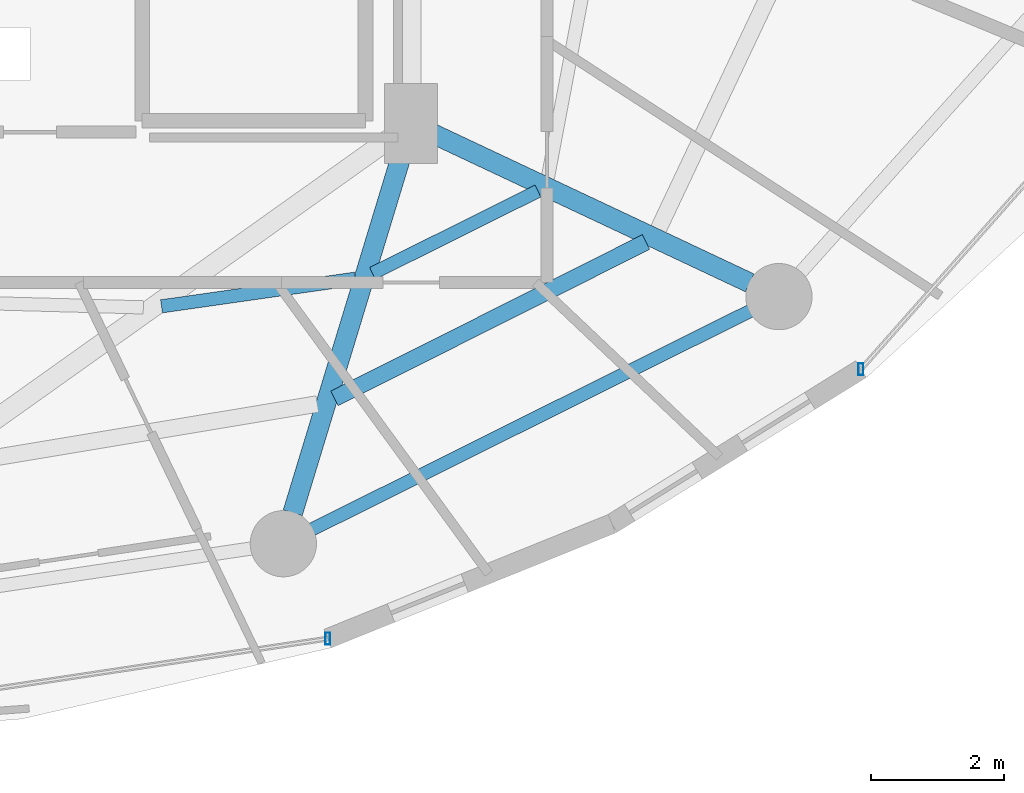
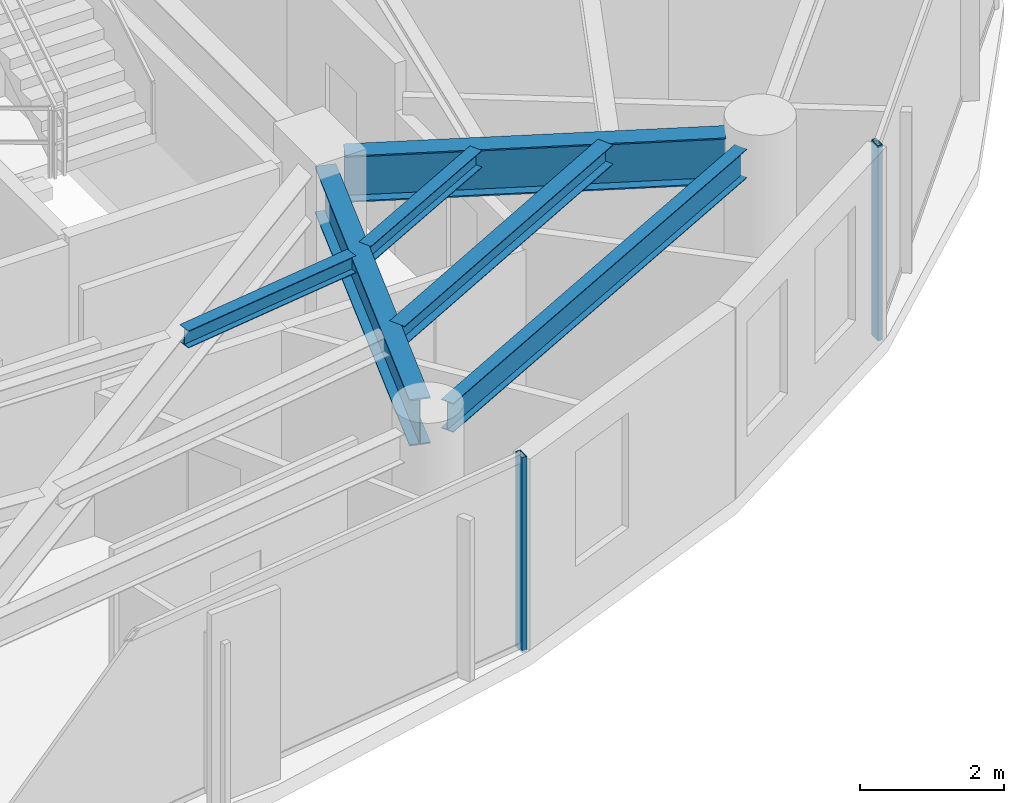
# One storey, part 10 of 28: 6 beams, 2 members, 2 elements without a shape of their own.
"""IFC4 building model written with IfcOpenShell, lengths in metres."""

from ifc_helpers import new_model, si_unit, direction, frame, origin, origin_2d, place, context, subcontext, project, spatial, hollow_rectangle, i_section, extrude, material, material_profile, profile_set, type_object, element, aggregate, save


model = new_model("IFC4")

# Units and contexts
model_context = context("Model", 3, precision=1e-05, world=origin(), true_north=direction((0.0, 1.0)))
body_context = subcontext(model_context, "Body", "Model", "MODEL_VIEW")
ifc_project = project(units=[si_unit("LENGTHUNIT", "METRE"), si_unit("AREAUNIT", "SQUARE_METRE"), si_unit("VOLUMEUNIT", "CUBIC_METRE"), si_unit("PLANEANGLEUNIT", "RADIAN"), si_unit("MASSUNIT", "GRAM", prefix="KILO")], contexts=[model_context])

# Site, building, storey
site_placement = place(None, origin())
site = spatial("IfcSite", under=ifc_project, at=site_placement, CompositionType="ELEMENT")
building_placement = place(site_placement, origin())
building = spatial("IfcBuilding", under=site, at=building_placement, Name="Vorneva Point Tower", CompositionType="ELEMENT")
storey_placement = place(building_placement, frame((0.0, 0.0, 164.10009765625)))
storey = spatial("IfcBuildingStorey", under=building, at=storey_placement, Name="L44", CompositionType="ELEMENT", Elevation=164.10009765625)

# Beams
ifc_material_1 = material(Name="Steel S355", Category="steel")
ifc_material_profile_1 = material_profile(ifc_material_1, i_section(OverallWidth=0.300048828125, OverallDepth=0.7880859375, WebThickness=0.014404296875, FlangeThickness=0.02197265625, at=origin_2d()), Name="80Sh1")
ifc_profile_set_1 = profile_set([ifc_material_profile_1], Name="Steel S355")
beam_type_1 = type_object("IfcBeamType", Name="BM-GRD-80Sh1", PredefinedType="USERDEFINED", material=ifc_profile_set_1)
beam_1_placement = place(storey_placement, frame((46.962890625, 10.576171875, 2.845947265625), z_axis=(0.291049382966, 0.95670803105, 0.0), x_axis=(-0.95670803105, 0.291049382966, 0.0)))
element("IfcBeam", 1, at=beam_1_placement, inside=storey, type_object=beam_type_1, Name="L44 Radial Primary Girder 14", ObjectType="GIRDER", PredefinedType="USERDEFINED", context=body_context, shape_type="SweptSolid", body=[
    extrude(i_section(OverallWidth=0.300048828125, OverallDepth=0.7880859375, WebThickness=0.014404296875, FlangeThickness=0.02197265625, at=origin_2d()), origin(), (0.0, 0.0, 1.0), 5.799560546875),
])
beam_2_placement = place(storey_placement, frame((53.857421875, 14.045654296875, 2.845947265625), z_axis=(-0.904761331435, 0.425918927896, 0.0), x_axis=(-0.425918927896, -0.904761331435, 0.0)))
element("IfcBeam", 2, at=beam_2_placement, inside=storey, type_object=beam_type_1, Name="L44 Radial Primary Girder 15", ObjectType="GIRDER", PredefinedType="USERDEFINED", context=body_context, shape_type="SweptSolid", body=[
    extrude(i_section(OverallWidth=0.300048828125, OverallDepth=0.7880859375, WebThickness=0.014404296875, FlangeThickness=0.02197265625, at=origin_2d()), origin(), (0.0, 0.0, 1.0), 5.304931640625),
])
ifc_material_profile_2 = material_profile(ifc_material_1, i_section(OverallWidth=0.199951171875, OverallDepth=0.291015625, WebThickness=0.008056640625, FlangeThickness=0.010986328125, at=origin_2d()), Name="30Sh1")
ifc_profile_set_2 = profile_set([ifc_material_profile_2], Name="Steel S355")
beam_type_2 = type_object("IfcBeamType", Name="BM-SEC-30Sh1", PredefinedType="BEAM", material=ifc_profile_set_2)
beam_3_placement = place(storey_placement, frame((44.982421875, 13.691162109375, 3.094482421875), z_axis=(0.989997374547, 0.1410857838, 0.0), x_axis=(-0.1410857838, 0.989997374547, 0.0)))
element("IfcBeam", 3, at=beam_3_placement, inside=storey, type_object=beam_type_2, Name="L44 Secondary Floor Beam 2.13", PredefinedType="BEAM", context=body_context, shape_type="SweptSolid", body=[
    extrude(i_section(OverallWidth=0.199951171875, OverallDepth=0.291015625, WebThickness=0.008056640625, FlangeThickness=0.010986328125, at=origin_2d()), origin(), (0.0, 0.0, 1.0), 2.953857421875),
])
beam_4_placement = place(storey_placement, frame((48.166748046875, 14.188720703125, 3.094482421875), z_axis=(0.895266564534, 0.445530895031, 0.0), x_axis=(-0.445530895031, 0.895266564534, 0.0)))
element("IfcBeam", 4, at=beam_4_placement, inside=storey, type_object=beam_type_2, Name="L44 Secondary Floor Beam 2.14", PredefinedType="BEAM", context=body_context, shape_type="SweptSolid", body=[
    extrude(i_section(OverallWidth=0.199951171875, OverallDepth=0.291015625, WebThickness=0.008056640625, FlangeThickness=0.010986328125, at=origin_2d()), origin(), (0.0, 0.0, 1.0), 2.787109375),
])
ifc_material_profile_3 = material_profile(ifc_material_1, i_section(OverallWidth=0.2490234375, OverallDepth=0.333984375, WebThickness=0.008056640625, FlangeThickness=0.010986328125, at=origin_2d()), Name="35Sh1")
ifc_profile_set_3 = profile_set([ifc_material_profile_3], Name="Steel S355")
beam_type_3 = type_object("IfcBeamType", Name="BM-SEC-35Sh1", PredefinedType="BEAM", material=ifc_profile_set_3)
beam_5_placement = place(storey_placement, frame((47.5927734375, 12.302490234375, 3.072998046875), z_axis=(0.893776430112, 0.44851275676, 0.0), x_axis=(-0.44851275676, 0.893776430112, 0.0)))
element("IfcBeam", 5, at=beam_5_placement, inside=storey, type_object=beam_type_3, Name="L44 Secondary Floor Beam 1.14", PredefinedType="BEAM", context=body_context, shape_type="SweptSolid", body=[
    extrude(i_section(OverallWidth=0.2490234375, OverallDepth=0.333984375, WebThickness=0.008056640625, FlangeThickness=0.010986328125, at=origin_2d()), origin(), (0.0, 0.0, 1.0), 5.260009765625),
])
ifc_material_profile_4 = material_profile(ifc_material_1, i_section(OverallWidth=0.199951171875, OverallDepth=0.491943359375, WebThickness=0.0087890625, FlangeThickness=0.011962890625, at=origin_2d()), Name="50B1")
ifc_profile_set_4 = profile_set([ifc_material_profile_4], Name="Steel S355")
beam_type_4 = type_object("IfcBeamType", Name="BM-SPN-50B1", PredefinedType="SPANDREL", material=ifc_profile_set_4)
beam_6_placement = place(storey_placement, frame((47.2548828125, 10.32568359375, 2.993896484375), z_axis=(0.894929061397, 0.446208443518, 0.0), x_axis=(-0.446208443518, 0.894929061397, 0.0)))
element("IfcBeam", 6, at=beam_6_placement, inside=storey, type_object=beam_type_4, Name="L44 Perimeter Spandrel Ring Beam 14", PredefinedType="SPANDREL", context=body_context, shape_type="SweptSolid", body=[
    extrude(i_section(OverallWidth=0.199951171875, OverallDepth=0.491943359375, WebThickness=0.0087890625, FlangeThickness=0.011962890625, at=origin_2d()), origin(), (0.0, 0.0, 1.0), 7.385986328125),
])

# Curtain wall, member
ifc_material_2 = material(Name="Pale anodised aluminium", Category="aluminium")
curtain_wall_type = type_object("IfcCurtainWallType", Name="CW-RES-SYS", PredefinedType="NOTDEFINED", material=ifc_material_2)
curtain_wall_1_placement = place(storey_placement, origin())
curtain_wall_1 = element("IfcCurtainWall", 7, at=curtain_wall_1_placement, inside=storey, type_object=curtain_wall_type, Name="L44 Unitised Curtain Wall CW-L44-R01", PredefinedType="NOTDEFINED")
ifc_material_profile_5 = material_profile(ifc_material_2, hollow_rectangle(XDim=0.074951171875, YDim=0.179931640625, WallThickness=0.00390625, at=origin_2d()), Name="AL-MUL 180x75x4")
ifc_profile_set_5 = profile_set([ifc_material_profile_5], Name="Pale anodised aluminium")
member_type = type_object("IfcMemberType", Name="CW-MUL-180", PredefinedType="MULLION", material=ifc_profile_set_5)
member_1_placement = place(storey_placement, frame((55.5361328125, 12.74169921875, -0.0400390625), z_axis=(0.0, 0.0, 1.0), x_axis=(1.0, 0.0, 0.0)))
member_1 = element("IfcMember", 8, at=member_1_placement, type_object=member_type, Name="CW-L44-R01 Mullion 01", PredefinedType="MULLION", context=body_context, shape_type="SweptSolid", body=[
    extrude(hollow_rectangle(XDim=0.074951171875, YDim=0.179931640625, WallThickness=0.00390625, at=origin_2d()), origin(), (0.0, 0.0, 1.0), 3.31005859375),
])
aggregate(curtain_wall_1, [member_1])

curtain_wall_2_placement = place(storey_placement, origin())
curtain_wall_2 = element("IfcCurtainWall", 9, at=curtain_wall_2_placement, inside=storey, type_object=curtain_wall_type, Name="L44 Unitised Curtain Wall CW-L44-R04", PredefinedType="NOTDEFINED")
member_2_placement = place(storey_placement, frame((47.490478515625, 8.67724609375, -0.0400390625), z_axis=(0.0, 0.0, 1.0), x_axis=(1.0, 0.0, 0.0)))
member_2 = element("IfcMember", 10, at=member_2_placement, type_object=member_type, Name="CW-L44-R04 Mullion 03", PredefinedType="MULLION", context=body_context, shape_type="SweptSolid", body=[
    extrude(hollow_rectangle(XDim=0.074951171875, YDim=0.179931640625, WallThickness=0.00390625, at=origin_2d()), origin(), (0.0, 0.0, 1.0), 3.31005859375),
])
aggregate(curtain_wall_2, [member_2])

save(model, "model.ifc")
